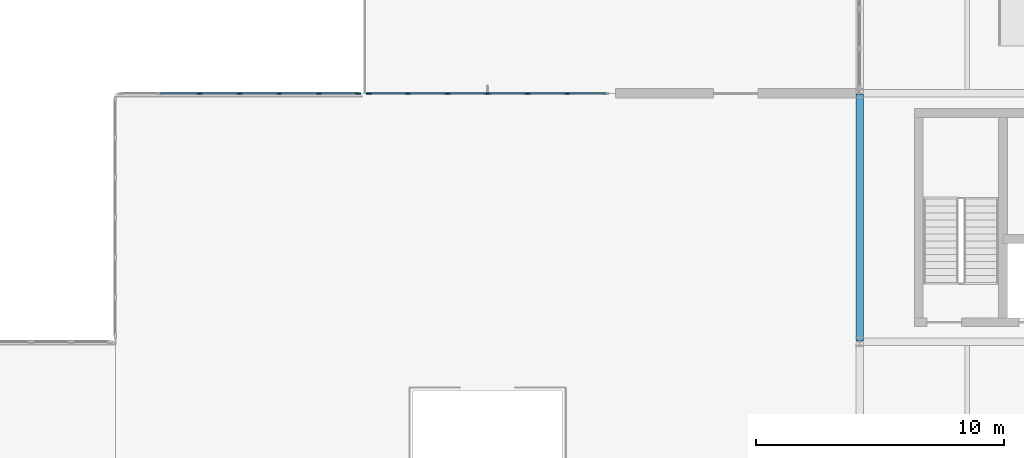
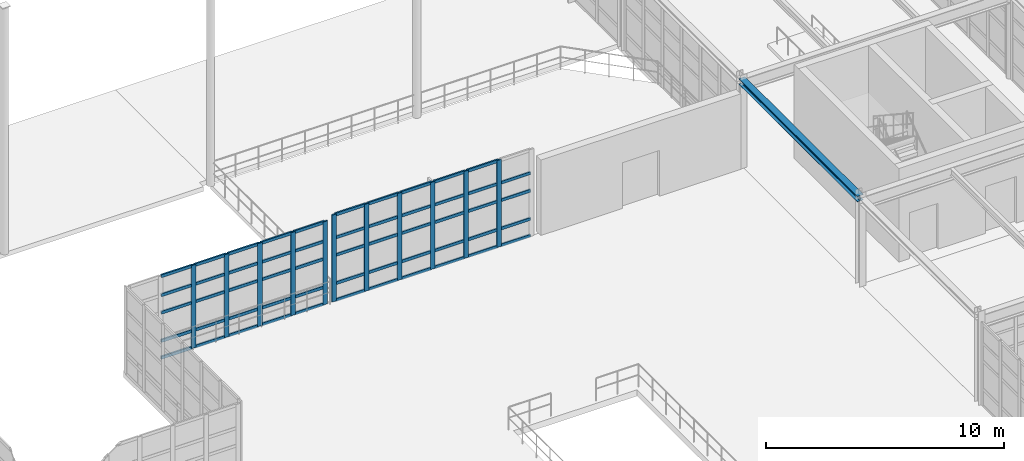
# One storey, part 58 of 139: 65 members, 1 beam, 2 elements without a shape of their own.
"""IFC4 building model written with IfcOpenShell, lengths in metres."""

from ifc_helpers import new_model, si_unit, direction, frame, origin, origin_2d, place, context, subcontext, project, spatial, rectangle, i_section, extrude, material, layer, layer_set, material_profile, profile_set, type_object, element, aggregate, save


model = new_model("IFC4")

# Units and contexts
model_context = context("Model", 3, precision=1e-05, world=origin(), true_north=direction((0.0, 1.0)))
body_context = subcontext(model_context, "Body", "Model", "MODEL_VIEW")
ifc_project = project(units=[si_unit("LENGTHUNIT", "METRE"), si_unit("AREAUNIT", "SQUARE_METRE"), si_unit("VOLUMEUNIT", "CUBIC_METRE"), si_unit("PLANEANGLEUNIT", "RADIAN"), si_unit("MASSUNIT", "GRAM", prefix="KILO"), si_unit("THERMODYNAMICTEMPERATUREUNIT", "KELVIN"), si_unit("POWERUNIT", "WATT")], contexts=[model_context])

# Site, building, storey
site_placement = place(None, origin())
site = spatial("IfcSite", under=ifc_project, at=site_placement, CompositionType="ELEMENT")
building_placement = place(site_placement, origin())
building = spatial("IfcBuilding", under=site, at=building_placement, Name="Korenveer Ferry Terminal", CompositionType="ELEMENT")
storey_placement = place(building_placement, frame((0.0, 0.0, 5.39990234375)))
storey = spatial("IfcBuildingStorey", under=building, at=storey_placement, Name="L01", CompositionType="ELEMENT", Elevation=5.39990234375)

# Curtain wall, members
ifc_material_1 = material(Name="Unitised bronze-and-glass curtain wall", Category="glass")
ifc_layer_1 = layer(ifc_material_1, 0.219970703125)
ifc_layer_set_1 = layer_set([ifc_layer_1], Name="Unitised bronze-and-glass curtain wall")
curtain_wall_type_1 = type_object("IfcCurtainWallType", Name="ENV-CW-55", PredefinedType="USERDEFINED", material=ifc_layer_set_1)
curtain_wall_1_placement = place(storey_placement, frame((93.179931640625, 90.0, 0.0)))
curtain_wall_1 = element("IfcCurtainWall", 1, at=curtain_wall_1_placement, inside=storey, type_object=curtain_wall_type_1, Name="Lancet curtain wall CWX-L01-X93-103-Y90-90", ObjectType="UNITISED CURTAIN WALL", PredefinedType="USERDEFINED")
ifc_material_2 = material(Name="Anodised bronze aluminium", Category="aluminium")
ifc_material_profile_1 = material_profile(ifc_material_2, rectangle(XDim=0.074951171875, YDim=0.219970703125, at=origin_2d()), Name="ALU 75x220")
ifc_profile_set_1 = profile_set([ifc_material_profile_1], Name="Anodised bronze aluminium")
member_type_1 = type_object("IfcMemberType", Name="ENV-CWM-75X220", PredefinedType="MULLION", material=ifc_profile_set_1)
member_1_placement = place(storey_placement, frame((96.393310546875, 90.0, 0.0), z_axis=(0.0, 0.0, 1.0), x_axis=(0.0, 1.0, 0.0)))
member_1 = element("IfcMember", 2, at=member_1_placement, type_object=member_type_1, Name="CW-55 mullion 3", PredefinedType="MULLION", context=body_context, shape_type="SweptSolid", body=[
    extrude(rectangle(XDim=0.074951171875, YDim=0.219970703125, at=origin_2d()), origin(), (0.0, 0.0, 1.0), 4.260009765625),
])
member_2_placement = place(storey_placement, frame((98.0, 90.0, 0.0), z_axis=(0.0, 0.0, 1.0), x_axis=(0.0, 1.0, 0.0)))
member_2 = element("IfcMember", 3, at=member_2_placement, type_object=member_type_1, Name="CW-55 mullion 4", PredefinedType="MULLION", context=body_context, shape_type="SweptSolid", body=[
    extrude(rectangle(XDim=0.074951171875, YDim=0.219970703125, at=origin_2d()), origin(), (0.0, 0.0, 1.0), 4.260009765625),
])
member_3_placement = place(storey_placement, frame((99.606689453125, 90.0, 0.0), z_axis=(0.0, 0.0, 1.0), x_axis=(0.0, 1.0, 0.0)))
member_3 = element("IfcMember", 4, at=member_3_placement, type_object=member_type_1, Name="CW-55 mullion 5", PredefinedType="MULLION", context=body_context, shape_type="SweptSolid", body=[
    extrude(rectangle(XDim=0.074951171875, YDim=0.219970703125, at=origin_2d()), origin(), (0.0, 0.0, 1.0), 4.260009765625),
])
member_4_placement = place(storey_placement, frame((101.21337890625, 90.0, 0.0), z_axis=(0.0, 0.0, 1.0), x_axis=(0.0, 1.0, 0.0)))
member_4 = element("IfcMember", 5, at=member_4_placement, type_object=member_type_1, Name="CW-55 mullion 6", PredefinedType="MULLION", context=body_context, shape_type="SweptSolid", body=[
    extrude(rectangle(XDim=0.074951171875, YDim=0.219970703125, at=origin_2d()), origin(), (0.0, 0.0, 1.0), 4.260009765625),
])
member_5_placement = place(storey_placement, frame((102.782470703125, 90.0, 0.0), z_axis=(0.0, 0.0, 1.0), x_axis=(0.0, 1.0, 0.0)))
member_5 = element("IfcMember", 6, at=member_5_placement, type_object=member_type_1, Name="CW-55 mullion 7", PredefinedType="MULLION", context=body_context, shape_type="SweptSolid", body=[
    extrude(rectangle(XDim=0.074951171875, YDim=0.219970703125, at=origin_2d()), origin(), (0.0, 0.0, 1.0), 4.260009765625),
])

ifc_layer_2 = layer(ifc_material_1, 0.219970703125)
ifc_layer_set_2 = layer_set([ifc_layer_2], Name="Unitised bronze-and-glass curtain wall")
curtain_wall_type_2 = type_object("IfcCurtainWallType", Name="ENV-CW-52", PredefinedType="USERDEFINED", material=ifc_layer_set_2)
curtain_wall_2_placement = place(storey_placement, frame((103.179931640625, 90.0, 0.0)))
curtain_wall_2 = element("IfcCurtainWall", 7, at=curtain_wall_2_placement, inside=storey, type_object=curtain_wall_type_2, Name="Lancet curtain wall CWX-L01-X103-113-Y90-90", ObjectType="UNITISED CURTAIN WALL", PredefinedType="USERDEFINED")
member_6_placement = place(storey_placement, frame((103.217529296875, 90.0, 0.0), z_axis=(0.0, 0.0, 1.0), x_axis=(0.0, 1.0, 0.0)))
member_6 = element("IfcMember", 8, at=member_6_placement, type_object=member_type_1, Name="CW-52 mullion 1", PredefinedType="MULLION", context=body_context, shape_type="SweptSolid", body=[
    extrude(rectangle(XDim=0.074951171875, YDim=0.219970703125, at=origin_2d()), origin(), (0.0, 0.0, 1.0), 4.460205078125),
])
member_7_placement = place(storey_placement, frame((104.78662109375, 90.0, 0.0), z_axis=(0.0, 0.0, 1.0), x_axis=(0.0, 1.0, 0.0)))
member_7 = element("IfcMember", 9, at=member_7_placement, type_object=member_type_1, Name="CW-52 mullion 2", PredefinedType="MULLION", context=body_context, shape_type="SweptSolid", body=[
    extrude(rectangle(XDim=0.074951171875, YDim=0.219970703125, at=origin_2d()), origin(), (0.0, 0.0, 1.0), 4.460205078125),
])
member_8_placement = place(storey_placement, frame((106.393310546875, 90.0, 0.0), z_axis=(0.0, 0.0, 1.0), x_axis=(0.0, 1.0, 0.0)))
member_8 = element("IfcMember", 10, at=member_8_placement, type_object=member_type_1, Name="CW-52 mullion 3", PredefinedType="MULLION", context=body_context, shape_type="SweptSolid", body=[
    extrude(rectangle(XDim=0.074951171875, YDim=0.219970703125, at=origin_2d()), origin(), (0.0, 0.0, 1.0), 4.460205078125),
])
member_9_placement = place(storey_placement, frame((108.0, 90.0, 0.0), z_axis=(0.0, 0.0, 1.0), x_axis=(0.0, 1.0, 0.0)))
member_9 = element("IfcMember", 11, at=member_9_placement, type_object=member_type_1, Name="CW-52 mullion 4", PredefinedType="MULLION", context=body_context, shape_type="SweptSolid", body=[
    extrude(rectangle(XDim=0.074951171875, YDim=0.219970703125, at=origin_2d()), origin(), (0.0, 0.0, 1.0), 4.460205078125),
])
member_10_placement = place(storey_placement, frame((109.606689453125, 90.0, 0.0), z_axis=(0.0, 0.0, 1.0), x_axis=(0.0, 1.0, 0.0)))
member_10 = element("IfcMember", 12, at=member_10_placement, type_object=member_type_1, Name="CW-52 mullion 5", PredefinedType="MULLION", context=body_context, shape_type="SweptSolid", body=[
    extrude(rectangle(XDim=0.074951171875, YDim=0.219970703125, at=origin_2d()), origin(), (0.0, 0.0, 1.0), 4.460205078125),
])
member_11_placement = place(storey_placement, frame((111.21337890625, 90.0, 0.0), z_axis=(0.0, 0.0, 1.0), x_axis=(0.0, 1.0, 0.0)))
member_11 = element("IfcMember", 13, at=member_11_placement, type_object=member_type_1, Name="CW-52 mullion 6", PredefinedType="MULLION", context=body_context, shape_type="SweptSolid", body=[
    extrude(rectangle(XDim=0.074951171875, YDim=0.219970703125, at=origin_2d()), origin(), (0.0, 0.0, 1.0), 4.460205078125),
])

# Member
ifc_material_profile_2 = material_profile(ifc_material_2, rectangle(XDim=0.074951171875, YDim=0.14990234375, at=origin_2d()), Name="ALU 75x150")
ifc_profile_set_2 = profile_set([ifc_material_profile_2], Name="Anodised bronze aluminium")
member_type_2 = type_object("IfcMemberType", Name="ENV-CWT-75X150", PredefinedType="USERDEFINED", material=ifc_profile_set_2)
member_12_placement = place(storey_placement, frame((94.82421875, 90.0, 0.03759765625), z_axis=(1.0, 0.0, 0.0), x_axis=(0.0, 1.0, 0.0)))
member_12 = element("IfcMember", 14, at=member_12_placement, type_object=member_type_2, Name="CW-55 transom 2.1", ObjectType="TRANSOM", PredefinedType="USERDEFINED", context=body_context, shape_type="SweptSolid", body=[
    extrude(rectangle(XDim=0.074951171875, YDim=0.14990234375, at=origin_2d()), origin(), (0.0, 0.0, 1.0), 1.531494140625),
])

member_13_placement = place(storey_placement, frame((94.82421875, 90.0, 0.900146484375), z_axis=(1.0, 0.0, 0.0), x_axis=(0.0, 1.0, 0.0)))
member_13 = element("IfcMember", 15, at=member_13_placement, type_object=member_type_2, Name="CW-55 transom 2.2", ObjectType="TRANSOM", PredefinedType="USERDEFINED", context=body_context, shape_type="SweptSolid", body=[
    extrude(rectangle(XDim=0.074951171875, YDim=0.14990234375, at=origin_2d()), origin(), (0.0, 0.0, 1.0), 1.531494140625),
])

member_14_placement = place(storey_placement, frame((94.82421875, 90.0, 2.35009765625), z_axis=(1.0, 0.0, 0.0), x_axis=(0.0, 1.0, 0.0)))
member_14 = element("IfcMember", 16, at=member_14_placement, type_object=member_type_2, Name="CW-55 transom 2.3", ObjectType="TRANSOM", PredefinedType="USERDEFINED", context=body_context, shape_type="SweptSolid", body=[
    extrude(rectangle(XDim=0.074951171875, YDim=0.14990234375, at=origin_2d()), origin(), (0.0, 0.0, 1.0), 1.531494140625),
])

member_15_placement = place(storey_placement, frame((94.82421875, 90.0, 3.25), z_axis=(1.0, 0.0, 0.0), x_axis=(0.0, 1.0, 0.0)))
member_15 = element("IfcMember", 17, at=member_15_placement, type_object=member_type_2, Name="CW-55 transom 2.4", ObjectType="TRANSOM", PredefinedType="USERDEFINED", context=body_context, shape_type="SweptSolid", body=[
    extrude(rectangle(XDim=0.074951171875, YDim=0.14990234375, at=origin_2d()), origin(), (0.0, 0.0, 1.0), 1.531494140625),
])

member_16_placement = place(storey_placement, frame((94.82421875, 90.0, 4.22265625), z_axis=(1.0, 0.0, 0.0), x_axis=(0.0, 1.0, 0.0)))
member_16 = element("IfcMember", 18, at=member_16_placement, type_object=member_type_2, Name="CW-55 transom 2.5", ObjectType="TRANSOM", PredefinedType="USERDEFINED", context=body_context, shape_type="SweptSolid", body=[
    extrude(rectangle(XDim=0.074951171875, YDim=0.14990234375, at=origin_2d()), origin(), (0.0, 0.0, 1.0), 1.531494140625),
])

member_17_placement = place(storey_placement, frame((96.430908203125, 90.0, 0.03759765625), z_axis=(1.0, 0.0, 0.0), x_axis=(0.0, 1.0, 0.0)))
member_17 = element("IfcMember", 19, at=member_17_placement, type_object=member_type_2, Name="CW-55 transom 3.1", ObjectType="TRANSOM", PredefinedType="USERDEFINED", context=body_context, shape_type="SweptSolid", body=[
    extrude(rectangle(XDim=0.074951171875, YDim=0.14990234375, at=origin_2d()), origin(), (0.0, 0.0, 1.0), 1.531494140625),
])

member_18_placement = place(storey_placement, frame((96.430908203125, 90.0, 0.900146484375), z_axis=(1.0, 0.0, 0.0), x_axis=(0.0, 1.0, 0.0)))
member_18 = element("IfcMember", 20, at=member_18_placement, type_object=member_type_2, Name="CW-55 transom 3.2", ObjectType="TRANSOM", PredefinedType="USERDEFINED", context=body_context, shape_type="SweptSolid", body=[
    extrude(rectangle(XDim=0.074951171875, YDim=0.14990234375, at=origin_2d()), origin(), (0.0, 0.0, 1.0), 1.531494140625),
])

member_19_placement = place(storey_placement, frame((96.430908203125, 90.0, 2.35009765625), z_axis=(1.0, 0.0, 0.0), x_axis=(0.0, 1.0, 0.0)))
member_19 = element("IfcMember", 21, at=member_19_placement, type_object=member_type_2, Name="CW-55 transom 3.3", ObjectType="TRANSOM", PredefinedType="USERDEFINED", context=body_context, shape_type="SweptSolid", body=[
    extrude(rectangle(XDim=0.074951171875, YDim=0.14990234375, at=origin_2d()), origin(), (0.0, 0.0, 1.0), 1.531494140625),
])

member_20_placement = place(storey_placement, frame((96.430908203125, 90.0, 3.25), z_axis=(1.0, 0.0, 0.0), x_axis=(0.0, 1.0, 0.0)))
member_20 = element("IfcMember", 22, at=member_20_placement, type_object=member_type_2, Name="CW-55 transom 3.4", ObjectType="TRANSOM", PredefinedType="USERDEFINED", context=body_context, shape_type="SweptSolid", body=[
    extrude(rectangle(XDim=0.074951171875, YDim=0.14990234375, at=origin_2d()), origin(), (0.0, 0.0, 1.0), 1.531494140625),
])

member_21_placement = place(storey_placement, frame((96.430908203125, 90.0, 4.22265625), z_axis=(1.0, 0.0, 0.0), x_axis=(0.0, 1.0, 0.0)))
member_21 = element("IfcMember", 23, at=member_21_placement, type_object=member_type_2, Name="CW-55 transom 3.5", ObjectType="TRANSOM", PredefinedType="USERDEFINED", context=body_context, shape_type="SweptSolid", body=[
    extrude(rectangle(XDim=0.074951171875, YDim=0.14990234375, at=origin_2d()), origin(), (0.0, 0.0, 1.0), 1.531494140625),
])

member_22_placement = place(storey_placement, frame((98.03759765625, 90.0, 0.03759765625), z_axis=(1.0, 0.0, 0.0), x_axis=(0.0, 1.0, 0.0)))
member_22 = element("IfcMember", 24, at=member_22_placement, type_object=member_type_2, Name="CW-55 transom 4.1", ObjectType="TRANSOM", PredefinedType="USERDEFINED", context=body_context, shape_type="SweptSolid", body=[
    extrude(rectangle(XDim=0.074951171875, YDim=0.14990234375, at=origin_2d()), origin(), (0.0, 0.0, 1.0), 1.531494140625),
])

member_23_placement = place(storey_placement, frame((98.03759765625, 90.0, 0.900146484375), z_axis=(1.0, 0.0, 0.0), x_axis=(0.0, 1.0, 0.0)))
member_23 = element("IfcMember", 25, at=member_23_placement, type_object=member_type_2, Name="CW-55 transom 4.2", ObjectType="TRANSOM", PredefinedType="USERDEFINED", context=body_context, shape_type="SweptSolid", body=[
    extrude(rectangle(XDim=0.074951171875, YDim=0.14990234375, at=origin_2d()), origin(), (0.0, 0.0, 1.0), 1.531494140625),
])

member_24_placement = place(storey_placement, frame((98.03759765625, 90.0, 2.35009765625), z_axis=(1.0, 0.0, 0.0), x_axis=(0.0, 1.0, 0.0)))
member_24 = element("IfcMember", 26, at=member_24_placement, type_object=member_type_2, Name="CW-55 transom 4.3", ObjectType="TRANSOM", PredefinedType="USERDEFINED", context=body_context, shape_type="SweptSolid", body=[
    extrude(rectangle(XDim=0.074951171875, YDim=0.14990234375, at=origin_2d()), origin(), (0.0, 0.0, 1.0), 1.531494140625),
])

member_25_placement = place(storey_placement, frame((98.03759765625, 90.0, 3.25), z_axis=(1.0, 0.0, 0.0), x_axis=(0.0, 1.0, 0.0)))
member_25 = element("IfcMember", 27, at=member_25_placement, type_object=member_type_2, Name="CW-55 transom 4.4", ObjectType="TRANSOM", PredefinedType="USERDEFINED", context=body_context, shape_type="SweptSolid", body=[
    extrude(rectangle(XDim=0.074951171875, YDim=0.14990234375, at=origin_2d()), origin(), (0.0, 0.0, 1.0), 1.531494140625),
])

member_26_placement = place(storey_placement, frame((98.03759765625, 90.0, 4.22265625), z_axis=(1.0, 0.0, 0.0), x_axis=(0.0, 1.0, 0.0)))
member_26 = element("IfcMember", 28, at=member_26_placement, type_object=member_type_2, Name="CW-55 transom 4.5", ObjectType="TRANSOM", PredefinedType="USERDEFINED", context=body_context, shape_type="SweptSolid", body=[
    extrude(rectangle(XDim=0.074951171875, YDim=0.14990234375, at=origin_2d()), origin(), (0.0, 0.0, 1.0), 1.531494140625),
])

member_27_placement = place(storey_placement, frame((99.644287109375, 90.0, 0.03759765625), z_axis=(1.0, 0.0, 0.0), x_axis=(0.0, 1.0, 0.0)))
member_27 = element("IfcMember", 29, at=member_27_placement, type_object=member_type_2, Name="CW-55 transom 5.1", ObjectType="TRANSOM", PredefinedType="USERDEFINED", context=body_context, shape_type="SweptSolid", body=[
    extrude(rectangle(XDim=0.074951171875, YDim=0.14990234375, at=origin_2d()), origin(), (0.0, 0.0, 1.0), 1.531494140625),
])

member_28_placement = place(storey_placement, frame((99.644287109375, 90.0, 0.900146484375), z_axis=(1.0, 0.0, 0.0), x_axis=(0.0, 1.0, 0.0)))
member_28 = element("IfcMember", 30, at=member_28_placement, type_object=member_type_2, Name="CW-55 transom 5.2", ObjectType="TRANSOM", PredefinedType="USERDEFINED", context=body_context, shape_type="SweptSolid", body=[
    extrude(rectangle(XDim=0.074951171875, YDim=0.14990234375, at=origin_2d()), origin(), (0.0, 0.0, 1.0), 1.531494140625),
])

member_29_placement = place(storey_placement, frame((99.644287109375, 90.0, 2.35009765625), z_axis=(1.0, 0.0, 0.0), x_axis=(0.0, 1.0, 0.0)))
member_29 = element("IfcMember", 31, at=member_29_placement, type_object=member_type_2, Name="CW-55 transom 5.3", ObjectType="TRANSOM", PredefinedType="USERDEFINED", context=body_context, shape_type="SweptSolid", body=[
    extrude(rectangle(XDim=0.074951171875, YDim=0.14990234375, at=origin_2d()), origin(), (0.0, 0.0, 1.0), 1.531494140625),
])

member_30_placement = place(storey_placement, frame((99.644287109375, 90.0, 3.25), z_axis=(1.0, 0.0, 0.0), x_axis=(0.0, 1.0, 0.0)))
member_30 = element("IfcMember", 32, at=member_30_placement, type_object=member_type_2, Name="CW-55 transom 5.4", ObjectType="TRANSOM", PredefinedType="USERDEFINED", context=body_context, shape_type="SweptSolid", body=[
    extrude(rectangle(XDim=0.074951171875, YDim=0.14990234375, at=origin_2d()), origin(), (0.0, 0.0, 1.0), 1.531494140625),
])

member_31_placement = place(storey_placement, frame((99.644287109375, 90.0, 4.22265625), z_axis=(1.0, 0.0, 0.0), x_axis=(0.0, 1.0, 0.0)))
member_31 = element("IfcMember", 33, at=member_31_placement, type_object=member_type_2, Name="CW-55 transom 5.5", ObjectType="TRANSOM", PredefinedType="USERDEFINED", context=body_context, shape_type="SweptSolid", body=[
    extrude(rectangle(XDim=0.074951171875, YDim=0.14990234375, at=origin_2d()), origin(), (0.0, 0.0, 1.0), 1.531494140625),
])

member_32_placement = place(storey_placement, frame((101.250732421875, 90.0, 0.03759765625), z_axis=(1.0, 0.0, 0.0), x_axis=(0.0, 1.0, 0.0)))
member_32 = element("IfcMember", 34, at=member_32_placement, type_object=member_type_2, Name="CW-55 transom 6.1", ObjectType="TRANSOM", PredefinedType="USERDEFINED", context=body_context, shape_type="SweptSolid", body=[
    extrude(rectangle(XDim=0.074951171875, YDim=0.14990234375, at=origin_2d()), origin(), (0.0, 0.0, 1.0), 1.494384765625),
])

member_33_placement = place(storey_placement, frame((101.250732421875, 90.0, 0.900146484375), z_axis=(1.0, 0.0, 0.0), x_axis=(0.0, 1.0, 0.0)))
member_33 = element("IfcMember", 35, at=member_33_placement, type_object=member_type_2, Name="CW-55 transom 6.2", ObjectType="TRANSOM", PredefinedType="USERDEFINED", context=body_context, shape_type="SweptSolid", body=[
    extrude(rectangle(XDim=0.074951171875, YDim=0.14990234375, at=origin_2d()), origin(), (0.0, 0.0, 1.0), 1.494384765625),
])

member_34_placement = place(storey_placement, frame((101.250732421875, 90.0, 2.35009765625), z_axis=(1.0, 0.0, 0.0), x_axis=(0.0, 1.0, 0.0)))
member_34 = element("IfcMember", 36, at=member_34_placement, type_object=member_type_2, Name="CW-55 transom 6.3", ObjectType="TRANSOM", PredefinedType="USERDEFINED", context=body_context, shape_type="SweptSolid", body=[
    extrude(rectangle(XDim=0.074951171875, YDim=0.14990234375, at=origin_2d()), origin(), (0.0, 0.0, 1.0), 1.494384765625),
])

member_35_placement = place(storey_placement, frame((101.250732421875, 90.0, 3.25), z_axis=(1.0, 0.0, 0.0), x_axis=(0.0, 1.0, 0.0)))
member_35 = element("IfcMember", 37, at=member_35_placement, type_object=member_type_2, Name="CW-55 transom 6.4", ObjectType="TRANSOM", PredefinedType="USERDEFINED", context=body_context, shape_type="SweptSolid", body=[
    extrude(rectangle(XDim=0.074951171875, YDim=0.14990234375, at=origin_2d()), origin(), (0.0, 0.0, 1.0), 1.494384765625),
])

member_36_placement = place(storey_placement, frame((101.250732421875, 90.0, 4.22265625), z_axis=(1.0, 0.0, 0.0), x_axis=(0.0, 1.0, 0.0)))
member_36 = element("IfcMember", 38, at=member_36_placement, type_object=member_type_2, Name="CW-55 transom 6.5", ObjectType="TRANSOM", PredefinedType="USERDEFINED", context=body_context, shape_type="SweptSolid", body=[
    extrude(rectangle(XDim=0.074951171875, YDim=0.14990234375, at=origin_2d()), origin(), (0.0, 0.0, 1.0), 1.494384765625),
])

aggregate(curtain_wall_1, [member_1, member_2, member_3, member_4, member_5, member_12, member_13, member_14, member_15, member_16, member_17, member_18, member_19, member_20, member_21, member_22, member_23, member_24, member_25, member_26, member_27, member_28, member_29, member_30, member_31, member_32, member_33, member_34, member_35, member_36])

member_37_placement = place(storey_placement, frame((103.2548828125, 90.0, 0.03759765625), z_axis=(1.0, 0.0, 0.0), x_axis=(0.0, 1.0, 0.0)))
member_37 = element("IfcMember", 39, at=member_37_placement, type_object=member_type_2, Name="CW-52 transom 1.1", ObjectType="TRANSOM", PredefinedType="USERDEFINED", context=body_context, shape_type="SweptSolid", body=[
    extrude(rectangle(XDim=0.074951171875, YDim=0.14990234375, at=origin_2d()), origin(), (0.0, 0.0, 1.0), 1.494384765625),
])

member_38_placement = place(storey_placement, frame((103.2548828125, 90.0, 0.900146484375), z_axis=(1.0, 0.0, 0.0), x_axis=(0.0, 1.0, 0.0)))
member_38 = element("IfcMember", 40, at=member_38_placement, type_object=member_type_2, Name="CW-52 transom 1.2", ObjectType="TRANSOM", PredefinedType="USERDEFINED", context=body_context, shape_type="SweptSolid", body=[
    extrude(rectangle(XDim=0.074951171875, YDim=0.14990234375, at=origin_2d()), origin(), (0.0, 0.0, 1.0), 1.494384765625),
])

member_39_placement = place(storey_placement, frame((103.2548828125, 90.0, 2.35009765625), z_axis=(1.0, 0.0, 0.0), x_axis=(0.0, 1.0, 0.0)))
member_39 = element("IfcMember", 41, at=member_39_placement, type_object=member_type_2, Name="CW-52 transom 1.3", ObjectType="TRANSOM", PredefinedType="USERDEFINED", context=body_context, shape_type="SweptSolid", body=[
    extrude(rectangle(XDim=0.074951171875, YDim=0.14990234375, at=origin_2d()), origin(), (0.0, 0.0, 1.0), 1.494384765625),
])

member_40_placement = place(storey_placement, frame((103.2548828125, 90.0, 3.25), z_axis=(1.0, 0.0, 0.0), x_axis=(0.0, 1.0, 0.0)))
member_40 = element("IfcMember", 42, at=member_40_placement, type_object=member_type_2, Name="CW-52 transom 1.4", ObjectType="TRANSOM", PredefinedType="USERDEFINED", context=body_context, shape_type="SweptSolid", body=[
    extrude(rectangle(XDim=0.074951171875, YDim=0.14990234375, at=origin_2d()), origin(), (0.0, 0.0, 1.0), 1.494384765625),
])

member_41_placement = place(storey_placement, frame((103.2548828125, 90.0, 4.422607421875), z_axis=(1.0, 0.0, 0.0), x_axis=(0.0, 1.0, 0.0)))
member_41 = element("IfcMember", 43, at=member_41_placement, type_object=member_type_2, Name="CW-52 transom 1.5", ObjectType="TRANSOM", PredefinedType="USERDEFINED", context=body_context, shape_type="SweptSolid", body=[
    extrude(rectangle(XDim=0.074951171875, YDim=0.14990234375, at=origin_2d()), origin(), (0.0, 0.0, 1.0), 1.494384765625),
])

member_42_placement = place(storey_placement, frame((104.82421875, 90.0, 0.03759765625), z_axis=(1.0, 0.0, 0.0), x_axis=(0.0, 1.0, 0.0)))
member_42 = element("IfcMember", 44, at=member_42_placement, type_object=member_type_2, Name="CW-52 transom 2.1", ObjectType="TRANSOM", PredefinedType="USERDEFINED", context=body_context, shape_type="SweptSolid", body=[
    extrude(rectangle(XDim=0.074951171875, YDim=0.14990234375, at=origin_2d()), origin(), (0.0, 0.0, 1.0), 1.531494140625),
])

member_43_placement = place(storey_placement, frame((104.82421875, 90.0, 0.900146484375), z_axis=(1.0, 0.0, 0.0), x_axis=(0.0, 1.0, 0.0)))
member_43 = element("IfcMember", 45, at=member_43_placement, type_object=member_type_2, Name="CW-52 transom 2.2", ObjectType="TRANSOM", PredefinedType="USERDEFINED", context=body_context, shape_type="SweptSolid", body=[
    extrude(rectangle(XDim=0.074951171875, YDim=0.14990234375, at=origin_2d()), origin(), (0.0, 0.0, 1.0), 1.531494140625),
])

member_44_placement = place(storey_placement, frame((104.82421875, 90.0, 2.35009765625), z_axis=(1.0, 0.0, 0.0), x_axis=(0.0, 1.0, 0.0)))
member_44 = element("IfcMember", 46, at=member_44_placement, type_object=member_type_2, Name="CW-52 transom 2.3", ObjectType="TRANSOM", PredefinedType="USERDEFINED", context=body_context, shape_type="SweptSolid", body=[
    extrude(rectangle(XDim=0.074951171875, YDim=0.14990234375, at=origin_2d()), origin(), (0.0, 0.0, 1.0), 1.531494140625),
])

member_45_placement = place(storey_placement, frame((104.82421875, 90.0, 3.25), z_axis=(1.0, 0.0, 0.0), x_axis=(0.0, 1.0, 0.0)))
member_45 = element("IfcMember", 47, at=member_45_placement, type_object=member_type_2, Name="CW-52 transom 2.4", ObjectType="TRANSOM", PredefinedType="USERDEFINED", context=body_context, shape_type="SweptSolid", body=[
    extrude(rectangle(XDim=0.074951171875, YDim=0.14990234375, at=origin_2d()), origin(), (0.0, 0.0, 1.0), 1.531494140625),
])

member_46_placement = place(storey_placement, frame((104.82421875, 90.0, 4.422607421875), z_axis=(1.0, 0.0, 0.0), x_axis=(0.0, 1.0, 0.0)))
member_46 = element("IfcMember", 48, at=member_46_placement, type_object=member_type_2, Name="CW-52 transom 2.5", ObjectType="TRANSOM", PredefinedType="USERDEFINED", context=body_context, shape_type="SweptSolid", body=[
    extrude(rectangle(XDim=0.074951171875, YDim=0.14990234375, at=origin_2d()), origin(), (0.0, 0.0, 1.0), 1.531494140625),
])

member_47_placement = place(storey_placement, frame((106.430908203125, 90.0, 0.03759765625), z_axis=(1.0, 0.0, 0.0), x_axis=(0.0, 1.0, 0.0)))
member_47 = element("IfcMember", 49, at=member_47_placement, type_object=member_type_2, Name="CW-52 transom 3.1", ObjectType="TRANSOM", PredefinedType="USERDEFINED", context=body_context, shape_type="SweptSolid", body=[
    extrude(rectangle(XDim=0.074951171875, YDim=0.14990234375, at=origin_2d()), origin(), (0.0, 0.0, 1.0), 1.531494140625),
])

member_48_placement = place(storey_placement, frame((106.430908203125, 90.0, 0.900146484375), z_axis=(1.0, 0.0, 0.0), x_axis=(0.0, 1.0, 0.0)))
member_48 = element("IfcMember", 50, at=member_48_placement, type_object=member_type_2, Name="CW-52 transom 3.2", ObjectType="TRANSOM", PredefinedType="USERDEFINED", context=body_context, shape_type="SweptSolid", body=[
    extrude(rectangle(XDim=0.074951171875, YDim=0.14990234375, at=origin_2d()), origin(), (0.0, 0.0, 1.0), 1.531494140625),
])

member_49_placement = place(storey_placement, frame((106.430908203125, 90.0, 2.35009765625), z_axis=(1.0, 0.0, 0.0), x_axis=(0.0, 1.0, 0.0)))
member_49 = element("IfcMember", 51, at=member_49_placement, type_object=member_type_2, Name="CW-52 transom 3.3", ObjectType="TRANSOM", PredefinedType="USERDEFINED", context=body_context, shape_type="SweptSolid", body=[
    extrude(rectangle(XDim=0.074951171875, YDim=0.14990234375, at=origin_2d()), origin(), (0.0, 0.0, 1.0), 1.531494140625),
])

member_50_placement = place(storey_placement, frame((106.430908203125, 90.0, 3.25), z_axis=(1.0, 0.0, 0.0), x_axis=(0.0, 1.0, 0.0)))
member_50 = element("IfcMember", 52, at=member_50_placement, type_object=member_type_2, Name="CW-52 transom 3.4", ObjectType="TRANSOM", PredefinedType="USERDEFINED", context=body_context, shape_type="SweptSolid", body=[
    extrude(rectangle(XDim=0.074951171875, YDim=0.14990234375, at=origin_2d()), origin(), (0.0, 0.0, 1.0), 1.531494140625),
])

member_51_placement = place(storey_placement, frame((106.430908203125, 90.0, 4.422607421875), z_axis=(1.0, 0.0, 0.0), x_axis=(0.0, 1.0, 0.0)))
member_51 = element("IfcMember", 53, at=member_51_placement, type_object=member_type_2, Name="CW-52 transom 3.5", ObjectType="TRANSOM", PredefinedType="USERDEFINED", context=body_context, shape_type="SweptSolid", body=[
    extrude(rectangle(XDim=0.074951171875, YDim=0.14990234375, at=origin_2d()), origin(), (0.0, 0.0, 1.0), 1.531494140625),
])

member_52_placement = place(storey_placement, frame((108.03759765625, 90.0, 0.03759765625), z_axis=(1.0, 0.0, 0.0), x_axis=(0.0, 1.0, 0.0)))
member_52 = element("IfcMember", 54, at=member_52_placement, type_object=member_type_2, Name="CW-52 transom 4.1", ObjectType="TRANSOM", PredefinedType="USERDEFINED", context=body_context, shape_type="SweptSolid", body=[
    extrude(rectangle(XDim=0.074951171875, YDim=0.14990234375, at=origin_2d()), origin(), (0.0, 0.0, 1.0), 1.531494140625),
])

member_53_placement = place(storey_placement, frame((108.03759765625, 90.0, 0.900146484375), z_axis=(1.0, 0.0, 0.0), x_axis=(0.0, 1.0, 0.0)))
member_53 = element("IfcMember", 55, at=member_53_placement, type_object=member_type_2, Name="CW-52 transom 4.2", ObjectType="TRANSOM", PredefinedType="USERDEFINED", context=body_context, shape_type="SweptSolid", body=[
    extrude(rectangle(XDim=0.074951171875, YDim=0.14990234375, at=origin_2d()), origin(), (0.0, 0.0, 1.0), 1.531494140625),
])

member_54_placement = place(storey_placement, frame((108.03759765625, 90.0, 2.35009765625), z_axis=(1.0, 0.0, 0.0), x_axis=(0.0, 1.0, 0.0)))
member_54 = element("IfcMember", 56, at=member_54_placement, type_object=member_type_2, Name="CW-52 transom 4.3", ObjectType="TRANSOM", PredefinedType="USERDEFINED", context=body_context, shape_type="SweptSolid", body=[
    extrude(rectangle(XDim=0.074951171875, YDim=0.14990234375, at=origin_2d()), origin(), (0.0, 0.0, 1.0), 1.531494140625),
])

member_55_placement = place(storey_placement, frame((108.03759765625, 90.0, 3.25), z_axis=(1.0, 0.0, 0.0), x_axis=(0.0, 1.0, 0.0)))
member_55 = element("IfcMember", 57, at=member_55_placement, type_object=member_type_2, Name="CW-52 transom 4.4", ObjectType="TRANSOM", PredefinedType="USERDEFINED", context=body_context, shape_type="SweptSolid", body=[
    extrude(rectangle(XDim=0.074951171875, YDim=0.14990234375, at=origin_2d()), origin(), (0.0, 0.0, 1.0), 1.531494140625),
])

member_56_placement = place(storey_placement, frame((108.03759765625, 90.0, 4.422607421875), z_axis=(1.0, 0.0, 0.0), x_axis=(0.0, 1.0, 0.0)))
member_56 = element("IfcMember", 58, at=member_56_placement, type_object=member_type_2, Name="CW-52 transom 4.5", ObjectType="TRANSOM", PredefinedType="USERDEFINED", context=body_context, shape_type="SweptSolid", body=[
    extrude(rectangle(XDim=0.074951171875, YDim=0.14990234375, at=origin_2d()), origin(), (0.0, 0.0, 1.0), 1.531494140625),
])

member_57_placement = place(storey_placement, frame((109.644287109375, 90.0, 0.03759765625), z_axis=(1.0, 0.0, 0.0), x_axis=(0.0, 1.0, 0.0)))
member_57 = element("IfcMember", 59, at=member_57_placement, type_object=member_type_2, Name="CW-52 transom 5.1", ObjectType="TRANSOM", PredefinedType="USERDEFINED", context=body_context, shape_type="SweptSolid", body=[
    extrude(rectangle(XDim=0.074951171875, YDim=0.14990234375, at=origin_2d()), origin(), (0.0, 0.0, 1.0), 1.531494140625),
])

member_58_placement = place(storey_placement, frame((109.644287109375, 90.0, 0.900146484375), z_axis=(1.0, 0.0, 0.0), x_axis=(0.0, 1.0, 0.0)))
member_58 = element("IfcMember", 60, at=member_58_placement, type_object=member_type_2, Name="CW-52 transom 5.2", ObjectType="TRANSOM", PredefinedType="USERDEFINED", context=body_context, shape_type="SweptSolid", body=[
    extrude(rectangle(XDim=0.074951171875, YDim=0.14990234375, at=origin_2d()), origin(), (0.0, 0.0, 1.0), 1.531494140625),
])

member_59_placement = place(storey_placement, frame((109.644287109375, 90.0, 2.35009765625), z_axis=(1.0, 0.0, 0.0), x_axis=(0.0, 1.0, 0.0)))
member_59 = element("IfcMember", 61, at=member_59_placement, type_object=member_type_2, Name="CW-52 transom 5.3", ObjectType="TRANSOM", PredefinedType="USERDEFINED", context=body_context, shape_type="SweptSolid", body=[
    extrude(rectangle(XDim=0.074951171875, YDim=0.14990234375, at=origin_2d()), origin(), (0.0, 0.0, 1.0), 1.531494140625),
])

member_60_placement = place(storey_placement, frame((109.644287109375, 90.0, 3.25), z_axis=(1.0, 0.0, 0.0), x_axis=(0.0, 1.0, 0.0)))
member_60 = element("IfcMember", 62, at=member_60_placement, type_object=member_type_2, Name="CW-52 transom 5.4", ObjectType="TRANSOM", PredefinedType="USERDEFINED", context=body_context, shape_type="SweptSolid", body=[
    extrude(rectangle(XDim=0.074951171875, YDim=0.14990234375, at=origin_2d()), origin(), (0.0, 0.0, 1.0), 1.531494140625),
])

member_61_placement = place(storey_placement, frame((109.644287109375, 90.0, 4.422607421875), z_axis=(1.0, 0.0, 0.0), x_axis=(0.0, 1.0, 0.0)))
member_61 = element("IfcMember", 63, at=member_61_placement, type_object=member_type_2, Name="CW-52 transom 5.5", ObjectType="TRANSOM", PredefinedType="USERDEFINED", context=body_context, shape_type="SweptSolid", body=[
    extrude(rectangle(XDim=0.074951171875, YDim=0.14990234375, at=origin_2d()), origin(), (0.0, 0.0, 1.0), 1.531494140625),
])

member_62_placement = place(storey_placement, frame((111.250732421875, 90.0, 0.03759765625), z_axis=(1.0, 0.0, 0.0), x_axis=(0.0, 1.0, 0.0)))
member_62 = element("IfcMember", 64, at=member_62_placement, type_object=member_type_2, Name="CW-52 transom 6.1", ObjectType="TRANSOM", PredefinedType="USERDEFINED", context=body_context, shape_type="SweptSolid", body=[
    extrude(rectangle(XDim=0.074951171875, YDim=0.14990234375, at=origin_2d()), origin(), (0.0, 0.0, 1.0), 1.494384765625),
])

member_63_placement = place(storey_placement, frame((111.250732421875, 90.0, 0.900146484375), z_axis=(1.0, 0.0, 0.0), x_axis=(0.0, 1.0, 0.0)))
member_63 = element("IfcMember", 65, at=member_63_placement, type_object=member_type_2, Name="CW-52 transom 6.2", ObjectType="TRANSOM", PredefinedType="USERDEFINED", context=body_context, shape_type="SweptSolid", body=[
    extrude(rectangle(XDim=0.074951171875, YDim=0.14990234375, at=origin_2d()), origin(), (0.0, 0.0, 1.0), 1.494384765625),
])

member_64_placement = place(storey_placement, frame((111.250732421875, 90.0, 2.35009765625), z_axis=(1.0, 0.0, 0.0), x_axis=(0.0, 1.0, 0.0)))
member_64 = element("IfcMember", 66, at=member_64_placement, type_object=member_type_2, Name="CW-52 transom 6.3", ObjectType="TRANSOM", PredefinedType="USERDEFINED", context=body_context, shape_type="SweptSolid", body=[
    extrude(rectangle(XDim=0.074951171875, YDim=0.14990234375, at=origin_2d()), origin(), (0.0, 0.0, 1.0), 1.494384765625),
])

member_65_placement = place(storey_placement, frame((111.250732421875, 90.0, 3.25), z_axis=(1.0, 0.0, 0.0), x_axis=(0.0, 1.0, 0.0)))
member_65 = element("IfcMember", 67, at=member_65_placement, type_object=member_type_2, Name="CW-52 transom 6.4", ObjectType="TRANSOM", PredefinedType="USERDEFINED", context=body_context, shape_type="SweptSolid", body=[
    extrude(rectangle(XDim=0.074951171875, YDim=0.14990234375, at=origin_2d()), origin(), (0.0, 0.0, 1.0), 1.494384765625),
])

aggregate(curtain_wall_2, [member_6, member_7, member_8, member_9, member_10, member_11, member_37, member_38, member_39, member_40, member_41, member_42, member_43, member_44, member_45, member_46, member_47, member_48, member_49, member_50, member_51, member_52, member_53, member_54, member_55, member_56, member_57, member_58, member_59, member_60, member_61, member_62, member_63, member_64, member_65])

# Beam
ifc_material_3 = material(Name="Steel S355", Category="steel")
ifc_material_profile_3 = material_profile(ifc_material_3, i_section(OverallWidth=0.300048828125, OverallDepth=0.2900390625, WebThickness=0.008544921875, FlangeThickness=0.013916015625, FilletRadius=0.027099609375, at=origin_2d()), Name="HEA 300")
ifc_profile_set_3 = profile_set([ifc_material_profile_3], Name="Steel S355")
beam_type = type_object("IfcBeamType", Name="STR-BM-HEA300", PredefinedType="BEAM", material=ifc_profile_set_3)
beam_placement = place(storey_placement, frame((123.0, 80.02001953125, 4.405029296875), z_axis=(0.0, 1.0, 0.0), x_axis=(-1.0, 0.0, 0.0)))
element("IfcBeam", 68, at=beam_placement, inside=storey, type_object=beam_type, Name="Primary Y girder BMY-L02-X123-Y80-90", PredefinedType="BEAM", context=body_context, shape_type="SweptSolid", body=[
    extrude(i_section(OverallWidth=0.300048828125, OverallDepth=0.2900390625, WebThickness=0.008544921875, FlangeThickness=0.013916015625, FilletRadius=0.027099609375, at=origin_2d()), origin(), (0.0, 0.0, 1.0), 9.9599609375),
])

save(model, "model.ifc")
